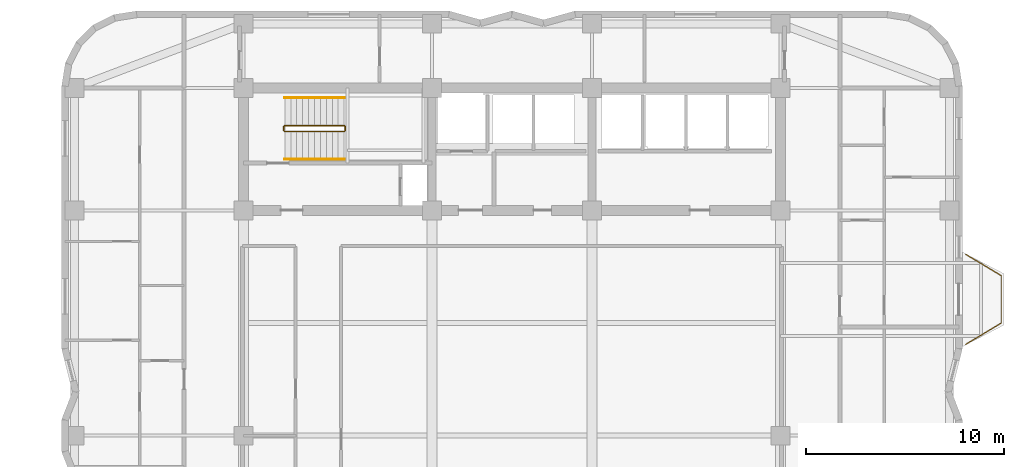
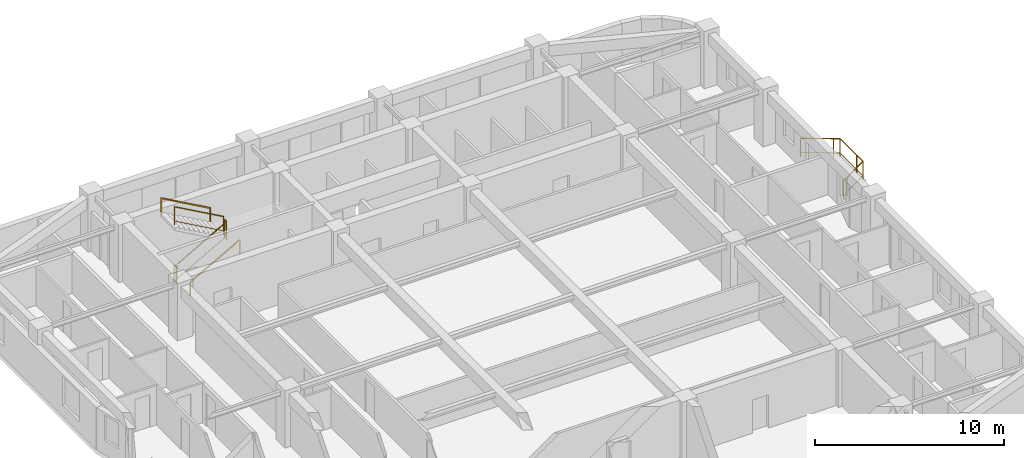
# One storey, part 8 of 8: 7 railings.
"""IFC4 building model written with IfcOpenShell, lengths in metres."""

from ifc_helpers import new_model, si_unit, direction, frame, origin, origin_2d, place, context, subcontext, project, spatial, rectangle, extrude, material, type_object, element, save


model = new_model("IFC4")

# Units and contexts
model_context = context("Model", 3, precision=1e-05, world=origin(), true_north=direction((0.0, 1.0)))
body_context = subcontext(model_context, "Body", "Model", "MODEL_VIEW")
ifc_project = project(units=[si_unit("LENGTHUNIT", "METRE"), si_unit("AREAUNIT", "SQUARE_METRE"), si_unit("VOLUMEUNIT", "CUBIC_METRE"), si_unit("PLANEANGLEUNIT", "RADIAN"), si_unit("MASSUNIT", "GRAM", prefix="KILO")], contexts=[model_context])

# Site, building, storey
site_placement = place(None, origin())
site = spatial("IfcSite", under=ifc_project, at=site_placement, CompositionType="ELEMENT")
building_placement = place(site_placement, origin())
building = spatial("IfcBuilding", under=site, at=building_placement, Name="Svetorya Sky Lyceum", CompositionType="ELEMENT")
storey_placement = place(building_placement, frame((0.0, 0.0, 147.800048828125)))
storey = spatial("IfcBuildingStorey", under=building, at=storey_placement, Name="L36", CompositionType="ELEMENT", Elevation=147.800048828125)

# Railings
ifc_material_1 = material(Name="Laminated safety glass and stainless AISI 316", Category="glass")
railing_type_1 = type_object("IfcRailingType", Name="RL-BAL-1200", PredefinedType="BALUSTRADE", material=ifc_material_1)
railing_1_placement = place(storey_placement, frame((62.169921875, 37.3798828125, 0.0)))
element("IfcRailing", 1, at=railing_1_placement, inside=storey, type_object=railing_type_1, Name="L36 Balcony Balustrade BAL-E1", PredefinedType="BALUSTRADE", context=body_context, shape_type="SweptSolid", body=[
    extrude(rectangle(XDim=0.048095703125, YDim=0.048095703125, at=origin_2d()), frame((0.0, 0.0, 1.17578125), z_axis=(0.85753397263, -0.514427337711, 0.0), x_axis=(0.514427337711, 0.85753397263, 0.0)), (0.0, 0.0, 1.0), 2.09912109375),
    extrude(rectangle(XDim=0.02392578125, YDim=0.02392578125, at=origin_2d()), frame((0.0, 0.0, 0.25), z_axis=(0.85753397263, -0.514427337711, 0.0), x_axis=(0.514427337711, 0.85753397263, 0.0)), (0.0, 0.0, 1.0), 2.09912109375),
    extrude(rectangle(XDim=0.048095703125, YDim=0.048095703125, at=origin_2d()), frame((1.800048828125, -1.079833984375, 1.17578125), z_axis=(0.0, -1.0, 0.0), x_axis=(1.0, 0.0, 0.0)), (0.0, 0.0, 1.0), 2.400146484375),
    extrude(rectangle(XDim=0.02392578125, YDim=0.02392578125, at=origin_2d()), frame((1.800048828125, -1.079833984375, 0.25), z_axis=(0.0, -1.0, 0.0), x_axis=(1.0, 0.0, 0.0)), (0.0, 0.0, 1.0), 2.400146484375),
    extrude(rectangle(XDim=0.048095703125, YDim=0.048095703125, at=origin_2d()), frame((1.800048828125, -3.47998046875, 1.17578125), z_axis=(-0.85753397263, -0.514427337711, 0.0), x_axis=(0.514427337711, -0.85753397263, 0.0)), (0.0, 0.0, 1.0), 2.09912109375),
    extrude(rectangle(XDim=0.02392578125, YDim=0.02392578125, at=origin_2d()), frame((1.800048828125, -3.47998046875, 0.25), z_axis=(-0.85753397263, -0.514427337711, 0.0), x_axis=(0.514427337711, -0.85753397263, 0.0)), (0.0, 0.0, 1.0), 2.09912109375),
    extrude(rectangle(XDim=0.0419921875, YDim=0.0419921875, at=origin_2d()), origin(), (0.0, 0.0, 1.0), 1.15185546875),
    extrude(rectangle(XDim=0.0419921875, YDim=0.0419921875, at=origin_2d()), frame((1.500732421875, -0.900146484375, 0.0)), (0.0, 0.0, 1.0), 1.15185546875),
    extrude(rectangle(XDim=0.0419921875, YDim=0.0419921875, at=origin_2d()), frame((1.800048828125, -1.079833984375, 0.0)), (0.0, 0.0, 1.0), 1.15185546875),
    extrude(rectangle(XDim=0.0419921875, YDim=0.0419921875, at=origin_2d()), frame((1.800048828125, -2.829833984375, 0.0)), (0.0, 0.0, 1.0), 1.15185546875),
    extrude(rectangle(XDim=0.0419921875, YDim=0.0419921875, at=origin_2d()), frame((1.800048828125, -3.47998046875, 0.0)), (0.0, 0.0, 1.0), 1.15185546875),
    extrude(rectangle(XDim=0.0419921875, YDim=0.0419921875, at=origin_2d()), frame((0.29931640625, -4.380126953125, 0.0)), (0.0, 0.0, 1.0), 1.15185546875),
    extrude(rectangle(XDim=0.0419921875, YDim=0.0419921875, at=origin_2d()), frame((0.0, -4.559814453125, 0.0)), (0.0, 0.0, 1.0), 1.15185546875),
])
ifc_material_2 = material(Name="Painted galvanized stair well guard")
railing_type_2 = type_object("IfcRailingType", Name="RL-STR-GUARD-1200", PredefinedType="GUARDRAIL", material=ifc_material_2)
railing_2_placement = place(storey_placement, frame((27.699951171875, 43.60009765625, 0.168212890625)))
element("IfcRailing", 2, at=railing_2_placement, inside=storey, type_object=railing_type_2, Name="L36 ST-N stair guard 1", PredefinedType="GUARDRAIL", context=body_context, shape_type="SweptSolid", body=[
    extrude(rectangle(XDim=0.048095703125, YDim=0.048095703125, at=origin_2d()), frame((0.0, 0.0, 1.17578125), z_axis=(0.872302573547, 0.0, 0.488966481656), x_axis=(0.0, 1.0, 0.0)), (0.0, 0.0, 1.0), 3.439208984375),
    extrude(rectangle(XDim=0.02392578125, YDim=0.02392578125, at=origin_2d()), frame((0.0, 0.0, 0.25), z_axis=(0.872302573547, 0.0, 0.488966481656), x_axis=(0.0, 1.0, 0.0)), (0.0, 0.0, 1.0), 3.439208984375),
    extrude(rectangle(XDim=0.0419921875, YDim=0.0419921875, at=origin_2d()), origin(), (0.0, 0.0, 1.0), 1.15185546875),
    extrude(rectangle(XDim=0.0419921875, YDim=0.0419921875, at=origin_2d()), frame((3.0, 0.0, 1.681640625)), (0.0, 0.0, 1.0), 1.15185546875),
])
railing_3_placement = place(storey_placement, frame((30.75, 43.64990234375, 1.849853515625)))
element("IfcRailing", 3, at=railing_3_placement, inside=storey, type_object=railing_type_2, Name="L36 ST-N stair guard 2", PredefinedType="GUARDRAIL", context=body_context, shape_type="SweptSolid", body=[
    extrude(rectangle(XDim=0.048095703125, YDim=0.048095703125, at=origin_2d()), frame((0.0, 0.0, 1.17578125), z_axis=(0.0, 1.0, 0.0), x_axis=(-1.0, 0.0, 0.0)), (0.0, 0.0, 1.0), 0.2001953125),
    extrude(rectangle(XDim=0.02392578125, YDim=0.02392578125, at=origin_2d()), frame((0.0, 0.0, 0.25), z_axis=(0.0, 1.0, 0.0), x_axis=(-1.0, 0.0, 0.0)), (0.0, 0.0, 1.0), 0.2001953125),
    extrude(rectangle(XDim=0.0419921875, YDim=0.0419921875, at=origin_2d()), origin(), (0.0, 0.0, 1.0), 1.15185546875),
    extrude(rectangle(XDim=0.0419921875, YDim=0.0419921875, at=origin_2d()), frame((0.0, 0.2001953125, 0.0)), (0.0, 0.0, 1.0), 1.15185546875),
])
railing_4_placement = place(storey_placement, frame((30.699951171875, 43.89990234375, 2.01806640625)))
element("IfcRailing", 4, at=railing_4_placement, inside=storey, type_object=railing_type_2, Name="L36 ST-N stair guard 3", PredefinedType="GUARDRAIL", context=body_context, shape_type="SweptSolid", body=[
    extrude(rectangle(XDim=0.048095703125, YDim=0.048095703125, at=origin_2d()), frame((0.0, 0.0, 1.17578125), z_axis=(-0.872272294576, 0.0, 0.489020494575), x_axis=(0.0, -1.0, 0.0)), (0.0, 0.0, 1.0), 3.439208984375),
    extrude(rectangle(XDim=0.02392578125, YDim=0.02392578125, at=origin_2d()), frame((0.0, 0.0, 0.25), z_axis=(-0.872272294576, 0.0, 0.489020494575), x_axis=(0.0, -1.0, 0.0)), (0.0, 0.0, 1.0), 3.439208984375),
    extrude(rectangle(XDim=0.0419921875, YDim=0.0419921875, at=origin_2d()), origin(), (0.0, 0.0, 1.0), 1.15185546875),
    extrude(rectangle(XDim=0.0419921875, YDim=0.0419921875, at=origin_2d()), frame((-3.0, 0.0, 1.681884765625)), (0.0, 0.0, 1.0), 1.15185546875),
])
railing_5_placement = place(storey_placement, frame((27.64990234375, 43.64990234375, 0.0)))
element("IfcRailing", 5, at=railing_5_placement, inside=storey, type_object=railing_type_2, Name="L36 ST-N stair guard 4", PredefinedType="GUARDRAIL", context=body_context, shape_type="SweptSolid", body=[
    extrude(rectangle(XDim=0.048095703125, YDim=0.048095703125, at=origin_2d()), frame((0.0, 0.0, 1.17578125), z_axis=(0.0, 1.0, 0.0), x_axis=(-1.0, 0.0, 0.0)), (0.0, 0.0, 1.0), 0.2001953125),
    extrude(rectangle(XDim=0.02392578125, YDim=0.02392578125, at=origin_2d()), frame((0.0, 0.0, 0.25), z_axis=(0.0, 1.0, 0.0), x_axis=(-1.0, 0.0, 0.0)), (0.0, 0.0, 1.0), 0.2001953125),
    extrude(rectangle(XDim=0.0419921875, YDim=0.0419921875, at=origin_2d()), origin(), (0.0, 0.0, 1.0), 1.15185546875),
    extrude(rectangle(XDim=0.0419921875, YDim=0.0419921875, at=origin_2d()), frame((0.0, 0.2001953125, 0.0)), (0.0, 0.0, 1.0), 1.15185546875),
])
ifc_material_3 = material(Name="Brushed stainless AISI 304 stair handrail")
railing_type_3 = type_object("IfcRailingType", Name="RL-STR-HAND-920", PredefinedType="HANDRAIL", material=ifc_material_3)
railing_6_placement = place(storey_placement, frame((27.699951171875, 42.199951171875, 0.168212890625)))
element("IfcRailing", 6, at=railing_6_placement, inside=storey, type_object=railing_type_3, Name="L36 ST-N stair handrail 1", PredefinedType="HANDRAIL", context=body_context, shape_type="SweptSolid", body=[
    extrude(rectangle(XDim=0.048095703125, YDim=0.048095703125, at=origin_2d()), frame((0.0, 0.0, 0.8759765625), z_axis=(0.872302573547, 0.0, 0.488966481656), x_axis=(0.0, 1.0, 0.0)), (0.0, 0.0, 1.0), 3.439208984375),
    extrude(rectangle(XDim=0.0419921875, YDim=0.0419921875, at=origin_2d()), origin(), (0.0, 0.0, 1.0), 0.851806640625),
    extrude(rectangle(XDim=0.0419921875, YDim=0.0419921875, at=origin_2d()), frame((3.0, 0.0, 1.681640625)), (0.0, 0.0, 1.0), 0.851806640625),
])
railing_7_placement = place(storey_placement, frame((30.699951171875, 45.300048828125, 2.01806640625)))
element("IfcRailing", 7, at=railing_7_placement, inside=storey, type_object=railing_type_3, Name="L36 ST-N stair handrail 2", PredefinedType="HANDRAIL", context=body_context, shape_type="SweptSolid", body=[
    extrude(rectangle(XDim=0.048095703125, YDim=0.048095703125, at=origin_2d()), frame((0.0, 0.0, 0.8759765625), z_axis=(-0.872272294576, 0.0, 0.489020494575), x_axis=(0.0, -1.0, 0.0)), (0.0, 0.0, 1.0), 3.439208984375),
    extrude(rectangle(XDim=0.0419921875, YDim=0.0419921875, at=origin_2d()), origin(), (0.0, 0.0, 1.0), 0.851806640625),
    extrude(rectangle(XDim=0.0419921875, YDim=0.0419921875, at=origin_2d()), frame((-3.0, 0.0, 1.681884765625)), (0.0, 0.0, 1.0), 0.851806640625),
])

save(model, "model.ifc")
